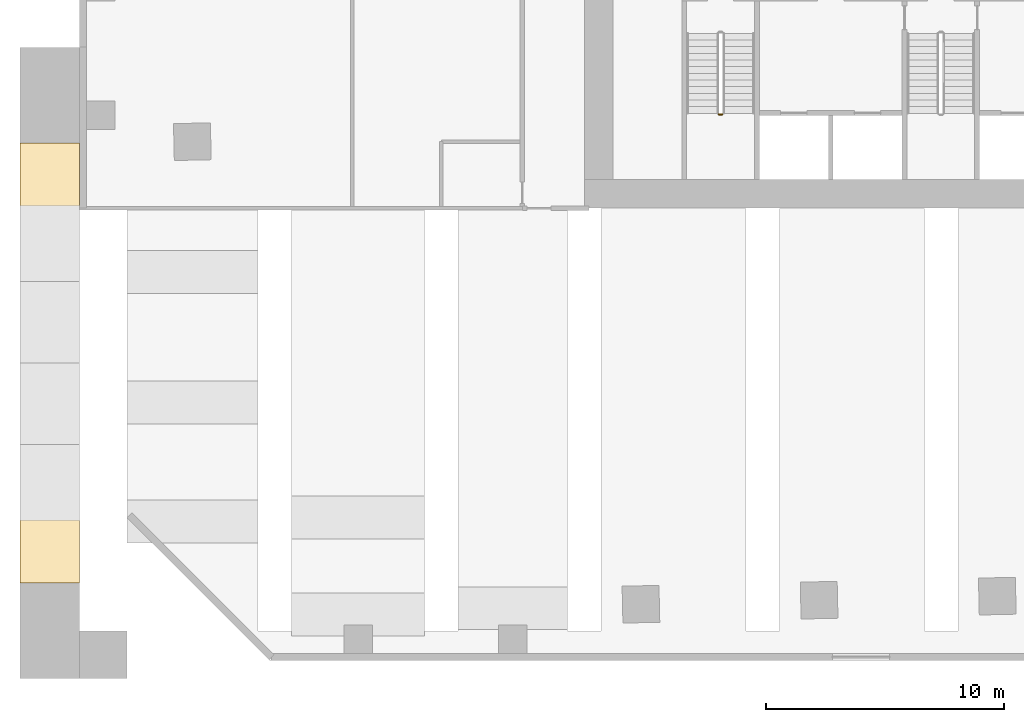
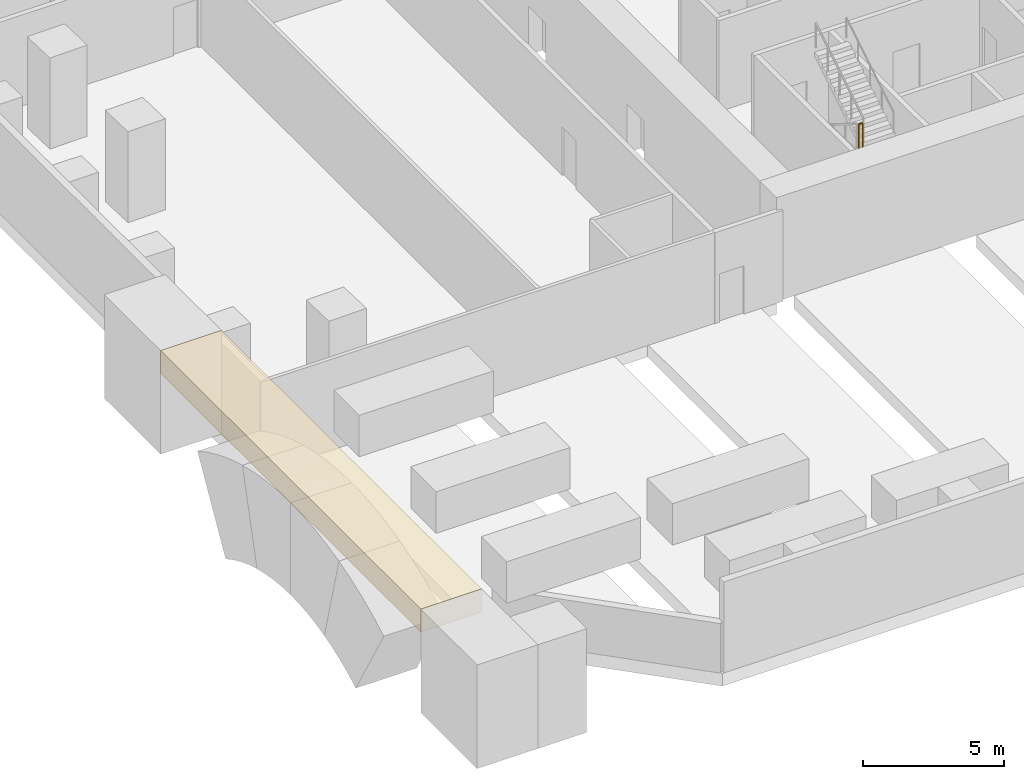
# One storey, part 11 of 13: 1 covering, 1 railing.
"""IFC4 building model written with IfcOpenShell, lengths in metres."""

from ifc_helpers import new_model, si_unit, direction, frame, frame_2d, origin, origin_2d, place, context, subcontext, project, spatial, rectangle, extrude, material, layer, layer_set, type_object, element, save


model = new_model("IFC4")

# Units and contexts
model_context = context("Model", 3, precision=1e-05, world=origin(), true_north=direction((0.0, 1.0)))
body_context = subcontext(model_context, "Body", "Model", "MODEL_VIEW")
ifc_project = project(units=[si_unit("LENGTHUNIT", "METRE"), si_unit("AREAUNIT", "SQUARE_METRE"), si_unit("VOLUMEUNIT", "CUBIC_METRE"), si_unit("PLANEANGLEUNIT", "RADIAN"), si_unit("MASSUNIT", "GRAM", prefix="KILO")], contexts=[model_context])

# Site, building, storey
site_placement = place(None, origin())
site = spatial("IfcSite", under=ifc_project, at=site_placement, CompositionType="ELEMENT")
building_placement = place(site_placement, origin())
building = spatial("IfcBuilding", under=site, at=building_placement, Name="Mangrove Gate Tower", CompositionType="ELEMENT")
storey_placement = place(building_placement, frame((0.0, 0.0, 20.5)))
storey = spatial("IfcBuildingStorey", under=building, at=storey_placement, Name="L04", CompositionType="ELEMENT", Elevation=20.5)

# Railing
ifc_material_1 = material(Name="Stainless steel 316", Category="steel")
railing_type = type_object("IfcRailingType", Name="Core stair guard 1100", PredefinedType="GUARDRAIL", material=ifc_material_1)
railing_placement = place(storey_placement, frame((-9.35009765625, -8.06005859375, 2.25)))
element("IfcRailing", 1, at=railing_placement, inside=storey, type_object=railing_type, Name="L04 ST1 stair guard 2", PredefinedType="GUARDRAIL", context=body_context, shape_type="SweptSolid", body=[
    extrude(rectangle(XDim=0.048095703125, YDim=0.048095703125, at=origin_2d()), frame((0.0, 0.0, 1.076171875), z_axis=(1.0, 0.0, 0.0), x_axis=(0.0, 1.0, 0.0)), (0.0, 0.0, 1.0), 0.150146484375),
    extrude(rectangle(XDim=0.0419921875, YDim=0.0419921875, at=origin_2d()), origin(), (0.0, 0.0, 1.0), 1.052001953125),
    extrude(rectangle(XDim=0.0419921875, YDim=0.0419921875, at=origin_2d()), frame((0.150146484375, 0.0, 0.0)), (0.0, 0.0, 1.0), 1.052001953125),
])

# Covering
ifc_material_2 = material(Name="Limestone", Category="masonry")
ifc_layer_1 = layer(ifc_material_2, 0.06005859375, Name="Limestone cladding")
ifc_material_3 = material(Name="Concrete C40/50", Category="concrete")
ifc_layer_2 = layer(ifc_material_3, 2.340087890625, Name="Gate core wall")
ifc_layer_3 = layer(ifc_material_2, 0.10009765625, Name="Limestone reveal lining")
ifc_layer_set = layer_set([ifc_layer_1, ifc_layer_2, ifc_layer_3], Name="Stone gate head cladding 2500")
covering_type = type_object("IfcCoveringType", Name="Stone gate head cladding 2500", PredefinedType="CLADDING", material=ifc_layer_set)
covering_placement = place(storey_placement, frame((-37.449951171875, -27.75, 3.5), z_axis=(0.0, 0.0, 1.0), x_axis=(0.0, 1.0, 0.0)))
element("IfcCovering", 2, at=covering_placement, inside=storey, type_object=covering_type, Name="ARCH LINTEL W", PredefinedType="CLADDING", context=body_context, shape_type="SweptSolid", body=[
    extrude(rectangle(XDim=18.5, YDim=2.5, at=frame_2d((9.25, 0.0))), origin(), (0.0, 0.0, 1.0), 1.0),
])

save(model, "model.ifc")
